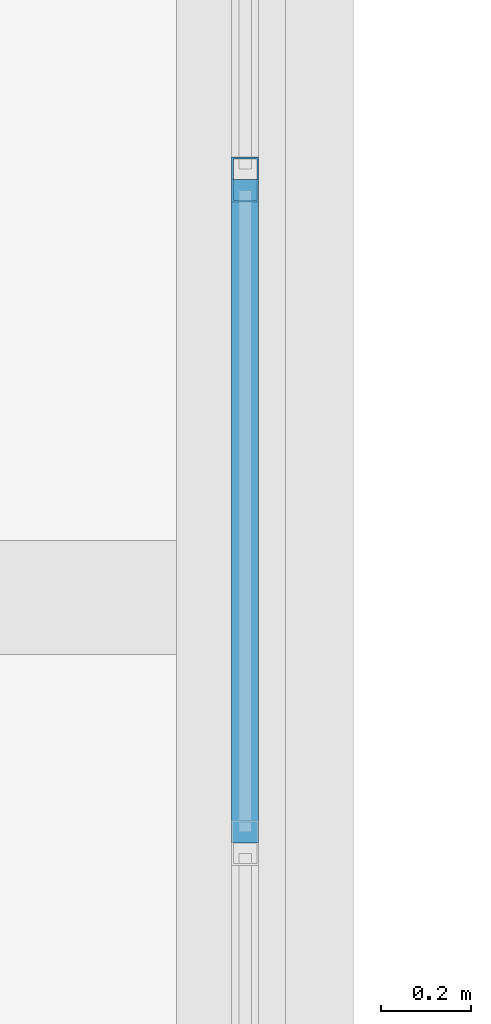
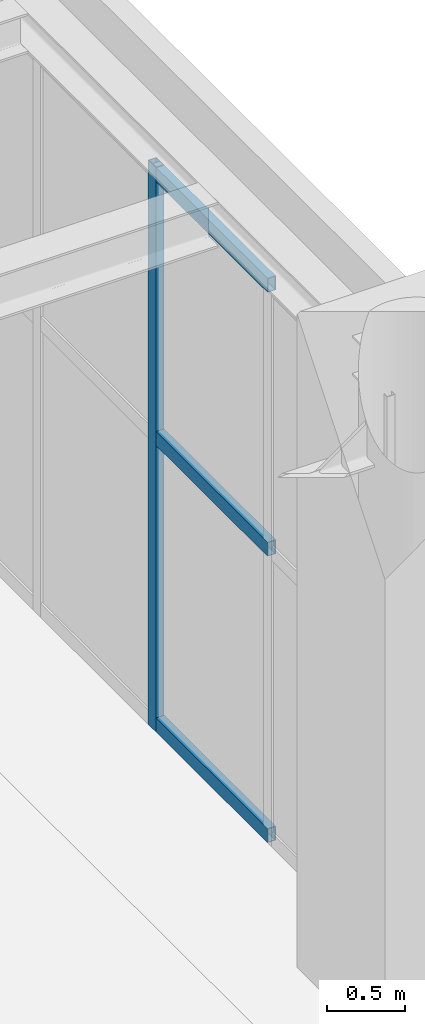
# One storey, part 53 of 174: 4 members, 1 element without a shape of its own.
"""IFC4 building model written with IfcOpenShell, lengths in metres."""

from ifc_helpers import new_model, si_unit, direction, frame, origin, origin_2d, place, context, subcontext, project, spatial, hollow_rectangle, extrude, material, material_profile, profile_set, type_object, element, aggregate, save


model = new_model("IFC4")

# Units and contexts
model_context = context("Model", 3, precision=1e-05, world=origin(), true_north=direction((0.0, 1.0)))
body_context = subcontext(model_context, "Body", "Model", "MODEL_VIEW")
ifc_project = project(units=[si_unit("LENGTHUNIT", "METRE"), si_unit("AREAUNIT", "SQUARE_METRE"), si_unit("VOLUMEUNIT", "CUBIC_METRE"), si_unit("PLANEANGLEUNIT", "RADIAN"), si_unit("MASSUNIT", "GRAM", prefix="KILO")], contexts=[model_context])

# Site, building, storey
site_placement = place(None, origin())
site = spatial("IfcSite", under=ifc_project, at=site_placement, CompositionType="ELEMENT")
building_placement = place(site_placement, origin())
building = spatial("IfcBuilding", under=site, at=building_placement, Name="Mavantir Sound Aquarium", CompositionType="ELEMENT")
storey_placement = place(building_placement, frame((0.0, 0.0, 5.39990234375)))
storey = spatial("IfcBuildingStorey", under=building, at=storey_placement, Name="L01", CompositionType="ELEMENT", Elevation=5.39990234375)

# Curtain wall, members
ifc_material_1 = material(Name="Anodised Marine Aluminium and Low-E Glass", Category="aluminium")
curtain_wall_type = type_object("IfcCurtainWallType", Name="CW-T09", PredefinedType="USERDEFINED", material=ifc_material_1)
curtain_wall_placement = place(storey_placement, origin())
curtain_wall = element("IfcCurtainWall", 1, at=curtain_wall_placement, inside=storey, type_object=curtain_wall_type, Name="L01 unitised curtain wall CW-09 57", ObjectType="UNITISED GLAZING", PredefinedType="USERDEFINED")
ifc_material_2 = material(Name="Anodised Marine Aluminium 6063-T6", Category="aluminium")
ifc_material_profile_1 = material_profile(ifc_material_2, hollow_rectangle(XDim=0.06005859375, YDim=0.10009765625, WallThickness=0.00390625, at=origin_2d()), Name="ALU-MULLION-100X60")
ifc_profile_set_1 = profile_set([ifc_material_profile_1], Name="Anodised Marine Aluminium 6063-T6")
member_type_1 = type_object("IfcMemberType", Name="CW-MUL-100", PredefinedType="MULLION", material=ifc_profile_set_1)
member_1_placement = place(storey_placement, frame((64.800048828125, 63.32763671875, 0.0), z_axis=(0.0, 0.0, 1.0), x_axis=(1.0, 0.0, 0.0)))
member_1 = element("IfcMember", 2, at=member_1_placement, type_object=member_type_1, Name="CW-L01-057 vertical mullion 3", PredefinedType="MULLION", context=body_context, shape_type="SweptSolid", body=[
    extrude(hollow_rectangle(XDim=0.06005859375, YDim=0.10009765625, WallThickness=0.00390625, at=origin_2d()), origin(), (0.0, 0.0, 1.0), 4.39306640625),
])
ifc_material_profile_2 = material_profile(ifc_material_2, hollow_rectangle(XDim=0.06005859375, YDim=0.110107421875, WallThickness=0.00390625, at=origin_2d()), Name="ALU-TRANSOM-110X60")
ifc_profile_set_2 = profile_set([ifc_material_profile_2], Name="Anodised Marine Aluminium 6063-T6")
member_type_2 = type_object("IfcMemberType", Name="CW-TRN-110", PredefinedType="USERDEFINED", material=ifc_profile_set_2)
member_2_placement = place(storey_placement, frame((64.800048828125, 61.855224609375, 0.05517578125), z_axis=(0.0, 1.0, 0.0), x_axis=(-1.0, 0.0, 0.0)))
member_2 = element("IfcMember", 3, at=member_2_placement, type_object=member_type_2, Name="CW-L01-057 transom 2.1", ObjectType="TRANSOM", PredefinedType="USERDEFINED", context=body_context, shape_type="SweptSolid", body=[
    extrude(hollow_rectangle(XDim=0.06005859375, YDim=0.110107421875, WallThickness=0.00390625, at=origin_2d()), origin(), (0.0, 0.0, 1.0), 1.472412109375),
])
member_3_placement = place(storey_placement, frame((64.800048828125, 61.855224609375, 2.284423828125), z_axis=(0.0, 1.0, 0.0), x_axis=(-1.0, 0.0, 0.0)))
member_3 = element("IfcMember", 4, at=member_3_placement, type_object=member_type_2, Name="CW-L01-057 transom 2.2", ObjectType="TRANSOM", PredefinedType="USERDEFINED", context=body_context, shape_type="SweptSolid", body=[
    extrude(hollow_rectangle(XDim=0.06005859375, YDim=0.110107421875, WallThickness=0.00390625, at=origin_2d()), origin(), (0.0, 0.0, 1.0), 1.472412109375),
])
member_4_placement = place(storey_placement, frame((64.800048828125, 61.855224609375, 4.338134765625), z_axis=(0.0, 1.0, 0.0), x_axis=(-1.0, 0.0, 0.0)))
member_4 = element("IfcMember", 5, at=member_4_placement, type_object=member_type_2, Name="CW-L01-057 transom 2.3", ObjectType="TRANSOM", PredefinedType="USERDEFINED", context=body_context, shape_type="SweptSolid", body=[
    extrude(hollow_rectangle(XDim=0.06005859375, YDim=0.110107421875, WallThickness=0.00390625, at=origin_2d()), origin(), (0.0, 0.0, 1.0), 1.472412109375),
])
aggregate(curtain_wall, [member_1, member_2, member_3, member_4])

save(model, "model.ifc")
